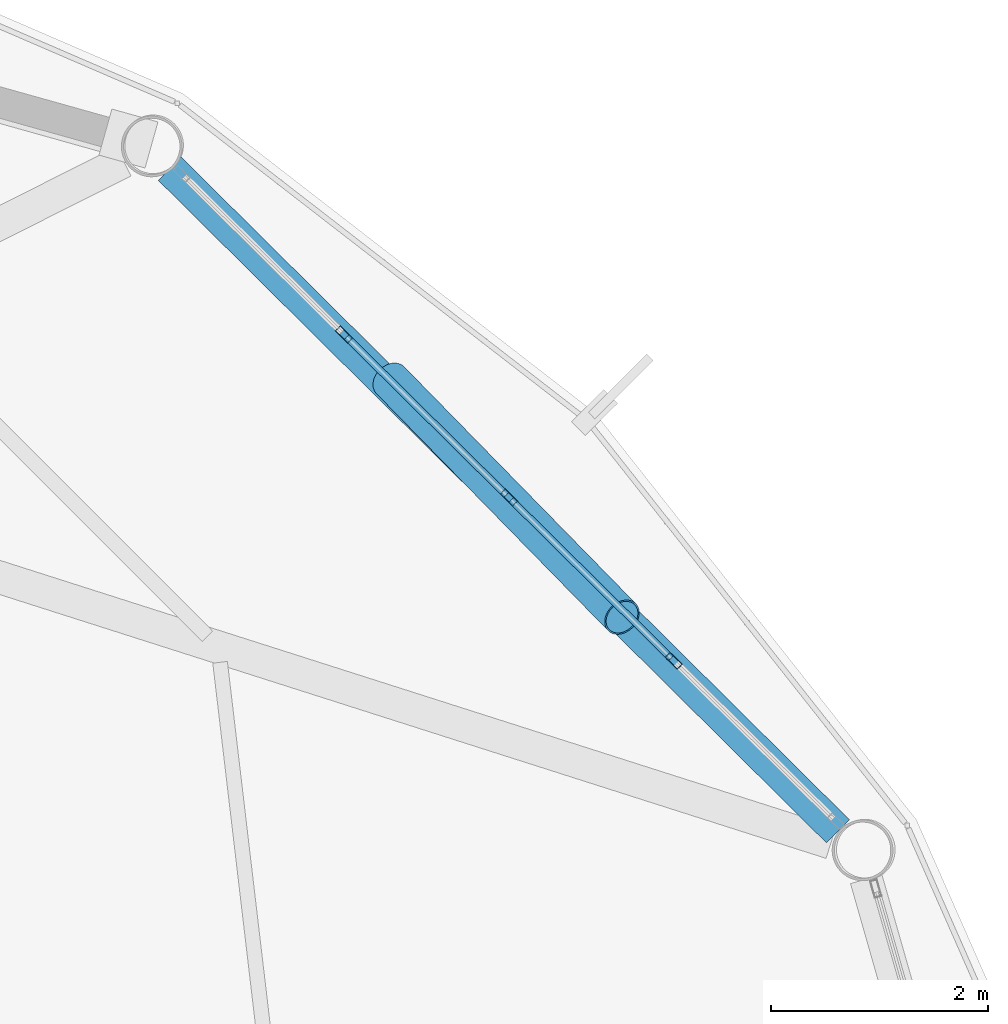
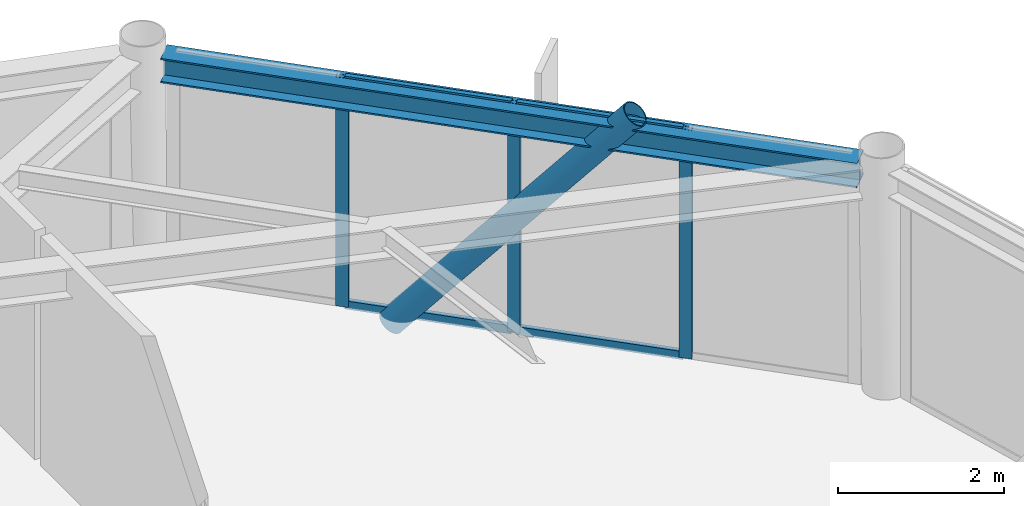
# One storey, part 13 of 24: 8 members, 1 beam, 1 element without a shape of its own.
"""IFC4 building model written with IfcOpenShell, lengths in metres."""

from ifc_helpers import new_model, si_unit, direction, frame, origin, origin_2d, place, context, subcontext, project, spatial, hollow_rectangle, hollow_circle, i_section, extrude, material, layer, layer_set, material_profile, profile_set, type_object, element, aggregate, save


model = new_model("IFC4")

# Units and contexts
model_context = context("Model", 3, precision=1e-05, world=origin(), true_north=direction((0.0, 1.0)))
body_context = subcontext(model_context, "Body", "Model", "MODEL_VIEW")
ifc_project = project(units=[si_unit("LENGTHUNIT", "METRE"), si_unit("AREAUNIT", "SQUARE_METRE"), si_unit("VOLUMEUNIT", "CUBIC_METRE"), si_unit("PLANEANGLEUNIT", "RADIAN"), si_unit("MASSUNIT", "GRAM", prefix="KILO")], contexts=[model_context])

# Site, building, storey
site_placement = place(None, origin())
site = spatial("IfcSite", under=ifc_project, at=site_placement, CompositionType="ELEMENT")
building_placement = place(site_placement, origin())
building = spatial("IfcBuilding", under=site, at=building_placement, Name="Varnakorn Sky Granary", CompositionType="ELEMENT")
storey_placement = place(building_placement, frame((0.0, 0.0, 274.199951171875)))
storey = spatial("IfcBuildingStorey", under=building, at=storey_placement, Name="L70", CompositionType="ELEMENT", Elevation=274.199951171875)

# Beam
ifc_material_1 = material(Name="Steel S355JR", Category="steel")
ifc_material_profile_1 = material_profile(ifc_material_1, i_section(OverallWidth=0.300048828125, OverallDepth=0.360107421875, WebThickness=0.012451171875, FlangeThickness=0.0224609375, at=origin_2d()), Name="HE 360 B")
ifc_profile_set_1 = profile_set([ifc_material_profile_1], Name="Steel S355JR")
beam_type = type_object("IfcBeamType", Name="BM-SPD-Z5", PredefinedType="SPANDREL", material=ifc_profile_set_1)
beam_placement = place(storey_placement, frame((20.093017578125, 9.019775390625, 3.179931640625), z_axis=(-0.710104416843, 0.704096383445, 0.0), x_axis=(-0.704096383445, -0.710104416843, 0.0)))
element("IfcBeam", 1, at=beam_placement, inside=storey, type_object=beam_type, Name="Perimeter Spandrel Ring Beam RB02 L70", PredefinedType="SPANDREL", context=body_context, shape_type="SweptSolid", body=[
    extrude(i_section(OverallWidth=0.300048828125, OverallDepth=0.360107421875, WebThickness=0.012451171875, FlangeThickness=0.0224609375, at=origin_2d()), origin(), (0.0, 0.0, 1.0), 8.655517578125),
])

# Curtain wall, members
ifc_material_2 = material(Name="Anodised Bronze Aluminium Alloy 6063-T6", Category="aluminium")
ifc_layer = layer(ifc_material_2, 0.159912109375, Name="Anodised Bronze Aluminium Alloy 6063-T6")
ifc_layer_set = layer_set([ifc_layer], Name="Anodised Bronze Aluminium Alloy 6063-T6")
curtain_wall_type = type_object("IfcCurtainWallType", Name="CW-OFF-1", PredefinedType="USERDEFINED", material=ifc_layer_set)
curtain_wall_placement = place(storey_placement, origin())
curtain_wall = element("IfcCurtainWall", 2, at=curtain_wall_placement, inside=storey, type_object=curtain_wall_type, Name="Unitised Curtain Wall CW6 CW-L70-B02", ObjectType="CURTAIN WALL", PredefinedType="USERDEFINED")
ifc_material_profile_2 = material_profile(ifc_material_2, hollow_rectangle(XDim=0.06494140625, YDim=0.159912109375, WallThickness=0.00341796875, at=origin_2d()), Name="ALU MULL 65x160")
ifc_profile_set_2 = profile_set([ifc_material_profile_2], Name="Anodised Bronze Aluminium Alloy 6063-T6")
member_type_1 = type_object("IfcMemberType", Name="CW-OFF-1-MULL", PredefinedType="MULLION", material=ifc_profile_set_2)
member_1_placement = place(storey_placement, frame((15.55029296875, 13.589599609375, 0.0), z_axis=(0.0, 0.0, 1.0), x_axis=(0.703399020646, 0.710795200993, 0.0)))
member_1 = element("IfcMember", 3, at=member_1_placement, type_object=member_type_1, Name="CW6 mullion 2", PredefinedType="MULLION", context=body_context, shape_type="SweptSolid", body=[
    extrude(hollow_rectangle(XDim=0.06494140625, YDim=0.159912109375, WallThickness=0.00341796875, at=origin_2d()), origin(), (0.0, 0.0, 1.0), 3.360107421875),
])
member_2_placement = place(storey_placement, frame((17.06640625, 12.08935546875, 0.0), z_axis=(0.0, 0.0, 1.0), x_axis=(0.703399020646, 0.710795200993, 0.0)))
member_2 = element("IfcMember", 4, at=member_2_placement, type_object=member_type_1, Name="CW6 mullion 3", PredefinedType="MULLION", context=body_context, shape_type="SweptSolid", body=[
    extrude(hollow_rectangle(XDim=0.06494140625, YDim=0.159912109375, WallThickness=0.00341796875, at=origin_2d()), origin(), (0.0, 0.0, 1.0), 3.360107421875),
])
member_3_placement = place(storey_placement, frame((18.582275390625, 10.589111328125, 0.0), z_axis=(0.0, 0.0, 1.0), x_axis=(0.703399020646, 0.710795200993, 0.0)))
member_3 = element("IfcMember", 5, at=member_3_placement, type_object=member_type_1, Name="CW6 mullion 4", PredefinedType="MULLION", context=body_context, shape_type="SweptSolid", body=[
    extrude(hollow_rectangle(XDim=0.06494140625, YDim=0.159912109375, WallThickness=0.00341796875, at=origin_2d()), origin(), (0.0, 0.0, 1.0), 3.360107421875),
])
ifc_material_profile_3 = material_profile(ifc_material_2, hollow_rectangle(XDim=0.06494140625, YDim=0.1201171875, WallThickness=0.00341796875, at=origin_2d()), Name="ALU TRAN 65x120")
ifc_profile_set_3 = profile_set([ifc_material_profile_3], Name="Anodised Bronze Aluminium Alloy 6063-T6")
member_type_2 = type_object("IfcMemberType", Name="CW-OFF-1-TRAN", PredefinedType="USERDEFINED", material=ifc_profile_set_3)
member_4_placement = place(storey_placement, frame((15.573486328125, 13.566650390625, 0.032470703125), z_axis=(0.710757354944, -0.703437262585, 0.0), x_axis=(0.703437262585, 0.710757354944, 0.0)))
member_4 = element("IfcMember", 6, at=member_4_placement, type_object=member_type_2, Name="CW6 transom 2.1", ObjectType="TRANSOM", PredefinedType="USERDEFINED", context=body_context, shape_type="SweptSolid", body=[
    extrude(hollow_rectangle(XDim=0.06494140625, YDim=0.1201171875, WallThickness=0.00341796875, at=origin_2d()), origin(), (0.0, 0.0, 1.0), 2.06787109375),
])
member_5_placement = place(storey_placement, frame((15.573486328125, 13.566650390625, 3.32763671875), z_axis=(0.710757354944, -0.703437262585, 0.0), x_axis=(0.703437262585, 0.710757354944, 0.0)))
member_5 = element("IfcMember", 7, at=member_5_placement, type_object=member_type_2, Name="CW6 transom 2.2", ObjectType="TRANSOM", PredefinedType="USERDEFINED", context=body_context, shape_type="SweptSolid", body=[
    extrude(hollow_rectangle(XDim=0.06494140625, YDim=0.1201171875, WallThickness=0.00341796875, at=origin_2d()), origin(), (0.0, 0.0, 1.0), 2.06787109375),
])
member_6_placement = place(storey_placement, frame((17.08935546875, 12.06640625, 0.032470703125), z_axis=(0.710815769482, -0.703378235273, 0.0), x_axis=(0.703378235273, 0.710815769482, 0.0)))
member_6 = element("IfcMember", 8, at=member_6_placement, type_object=member_type_2, Name="CW6 transom 3.1", ObjectType="TRANSOM", PredefinedType="USERDEFINED", context=body_context, shape_type="SweptSolid", body=[
    extrude(hollow_rectangle(XDim=0.06494140625, YDim=0.1201171875, WallThickness=0.00341796875, at=origin_2d()), origin(), (0.0, 0.0, 1.0), 2.068115234375),
])
member_7_placement = place(storey_placement, frame((17.08935546875, 12.06640625, 3.32763671875), z_axis=(0.710815769482, -0.703378235273, 0.0), x_axis=(0.703378235273, 0.710815769482, 0.0)))
member_7 = element("IfcMember", 9, at=member_7_placement, type_object=member_type_2, Name="CW6 transom 3.2", ObjectType="TRANSOM", PredefinedType="USERDEFINED", context=body_context, shape_type="SweptSolid", body=[
    extrude(hollow_rectangle(XDim=0.06494140625, YDim=0.1201171875, WallThickness=0.00341796875, at=origin_2d()), origin(), (0.0, 0.0, 1.0), 2.068115234375),
])
aggregate(curtain_wall, [member_1, member_2, member_3, member_4, member_5, member_6, member_7])

# Member
ifc_material_3 = material(Name="Steel S460M", Category="steel")
ifc_material_profile_4 = material_profile(ifc_material_3, hollow_circle(Radius=0.177734375, WallThickness=0.01416015625, at=origin_2d()), Name="CHS 355.6x14")
ifc_profile_set_4 = profile_set([ifc_material_profile_4], Name="Steel S460M")
member_type_3 = type_object("IfcMemberType", Name="MB-DIAG-T5", PredefinedType="BRACE", material=ifc_profile_set_4)
member_8_placement = place(storey_placement, frame((15.97509765625, 13.169189453125, -0.1298828125), z_axis=(0.450418761618, -0.460632105045, 0.764814358511), x_axis=(0.714988880842, 0.699135823909, 0.0)))
element("IfcMember", 10, at=member_8_placement, inside=storey, type_object=member_type_3, Name="Perimeter CHS Diagrid Brace DG02 L70", PredefinedType="BRACE", context=body_context, shape_type="SweptSolid", body=[
    extrude(hollow_circle(Radius=0.177734375, WallThickness=0.01416015625, at=origin_2d()), origin(), (0.0, 0.0, 1.0), 4.73291015625),
])

save(model, "model.ifc")
